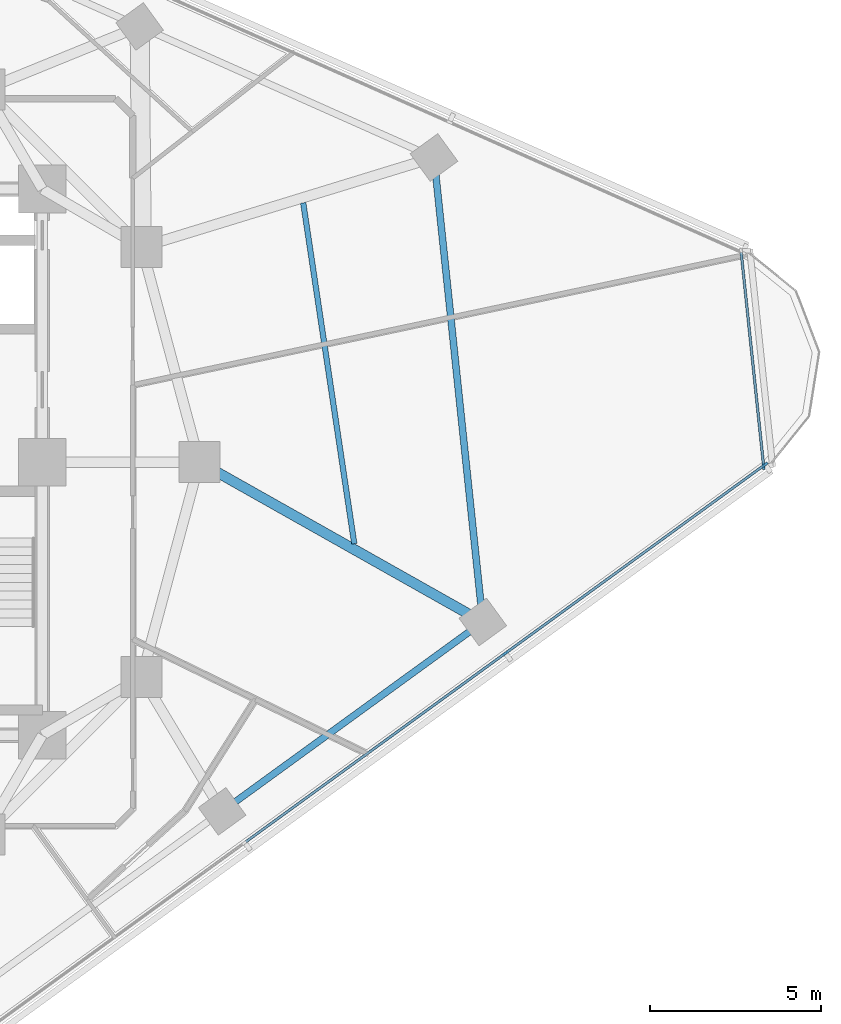
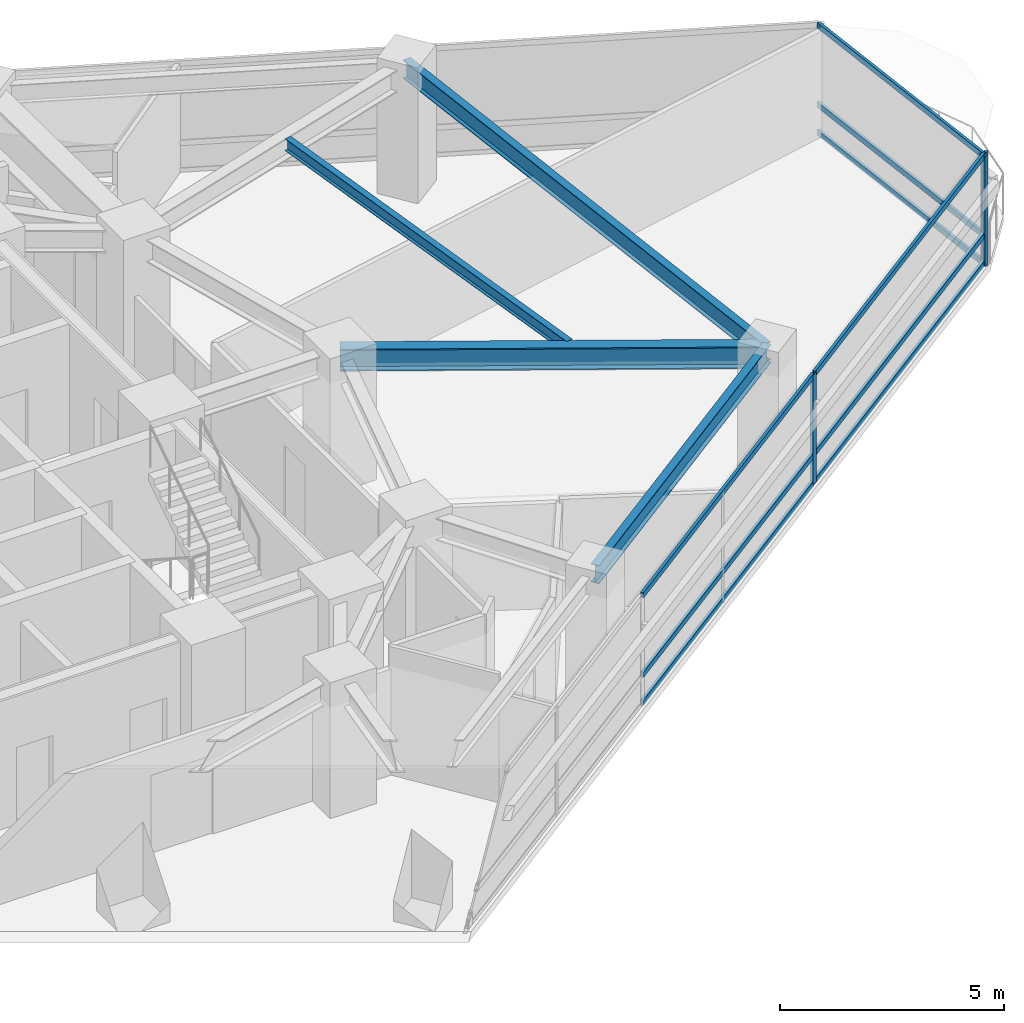
# One storey, part 4 of 14: 12 members, 4 beams, 2 elements without a shape of their own.
"""IFC4 building model written with IfcOpenShell, lengths in metres."""

from ifc_helpers import new_model, si_unit, direction, frame, origin, origin_2d, place, context, subcontext, project, spatial, rectangle, i_section, extrude, material, layer, layer_set, material_profile, profile_set, type_object, element, aggregate, save


model = new_model("IFC4")

# Units and contexts
model_context = context("Model", 3, precision=1e-05, world=origin(), true_north=direction((0.0, 1.0)))
body_context = subcontext(model_context, "Body", "Model", "MODEL_VIEW")
ifc_project = project(units=[si_unit("LENGTHUNIT", "METRE"), si_unit("AREAUNIT", "SQUARE_METRE"), si_unit("VOLUMEUNIT", "CUBIC_METRE"), si_unit("PLANEANGLEUNIT", "RADIAN"), si_unit("MASSUNIT", "GRAM", prefix="KILO")], contexts=[model_context])

# Site, building, storey
site_placement = place(None, origin())
site = spatial("IfcSite", under=ifc_project, at=site_placement, CompositionType="ELEMENT")
building_placement = place(site_placement, origin())
building = spatial("IfcBuilding", under=site, at=building_placement, Name="Terralouvre Media Tower", CompositionType="ELEMENT")
storey_placement = place(building_placement, frame((0.0, 0.0, 173.10009765625)))
storey = spatial("IfcBuildingStorey", under=building, at=storey_placement, Name="L44", CompositionType="ELEMENT", Elevation=173.10009765625)

# Beam
ifc_material_1 = material(Name="Structural steel S355J2", Category="steel")
ifc_material_profile_1 = material_profile(ifc_material_1, i_section(OverallWidth=0.159912109375, OverallDepth=0.330078125, WebThickness=0.007568359375, FlangeThickness=0.011474609375, at=origin_2d()), Name="IPE 330")
ifc_profile_set_1 = profile_set([ifc_material_profile_1], Name="Structural steel S355J2")
beam_type_1 = type_object("IfcBeamType", Name="Composite Floor Joist J-IPE330 (IPE 330)", PredefinedType="JOIST", material=ifc_profile_set_1)
beam_1_placement = place(storey_placement, frame((17.1396484375, -2.38916015625, 3.3349609375), z_axis=(-0.148174915539, 0.988961169311, 0.0), x_axis=(-0.988961169311, -0.148174915539, 0.0)))
element("IfcBeam", 1, at=beam_1_placement, inside=storey, type_object=beam_type_1, Name="L44 Framing Beam JT-L44-03", PredefinedType="JOIST", context=body_context, shape_type="SweptSolid", body=[
    extrude(i_section(OverallWidth=0.159912109375, OverallDepth=0.330078125, WebThickness=0.007568359375, FlangeThickness=0.011474609375, at=origin_2d()), origin(), (0.0, 0.0, 1.0), 10.096923828125),
])

# Curtain wall, members
ifc_material_2 = material(Name="Low-iron laminated double glazing with solar-control coating", Category="glass")
ifc_layer_1 = layer(ifc_material_2, 0.1650390625, Name="Production Studio Tower Curtain Wall CW-03")
ifc_layer_set_1 = layer_set([ifc_layer_1], Name="Low-iron laminated double glazing with solar-control coating")
curtain_wall_type_1 = type_object("IfcCurtainWallType", Name="Production Studio Tower Curtain Wall CW-03", PredefinedType="NOTDEFINED", material=ifc_layer_set_1)
curtain_wall_1_placement = place(storey_placement, origin())
curtain_wall_1 = element("IfcCurtainWall", 2, at=curtain_wall_1_placement, inside=storey, type_object=curtain_wall_type_1, Name="L44 Facade Curtain Wall F0", PredefinedType="NOTDEFINED")
ifc_material_3 = material(Name="Anodised extruded aluminium 6063-T6", Category="aluminium")
ifc_material_profile_2 = material_profile(ifc_material_3, rectangle(XDim=0.074951171875, YDim=0.14990234375, at=origin_2d()), Name="ALU 75x150")
ifc_profile_set_2 = profile_set([ifc_material_profile_2], Name="Anodised extruded aluminium 6063-T6")
member_type_1 = type_object("IfcMemberType", Name="Curtain-Wall Horizontal Transom TR-150", PredefinedType="USERDEFINED", material=ifc_profile_set_2)
member_1_placement = place(storey_placement, frame((13.9619140625, -11.123046875, 0.037353515625), z_axis=(0.809023450607, 0.587776365948, 0.0), x_axis=(-0.587776365948, 0.809023450607, 0.0)))
member_1 = element("IfcMember", 3, at=member_1_placement, type_object=member_type_1, Name="CW-03 transom 4.1", ObjectType="TRANSOM", PredefinedType="USERDEFINED", context=body_context, shape_type="SweptSolid", body=[
    extrude(rectangle(XDim=0.074951171875, YDim=0.14990234375, at=origin_2d()), origin(), (0.0, 0.0, 1.0), 9.365234375),
])
member_2_placement = place(storey_placement, frame((13.9619140625, -11.123046875, 0.7998046875), z_axis=(0.809023450607, 0.587776365948, 0.0), x_axis=(-0.587776365948, 0.809023450607, 0.0)))
member_2 = element("IfcMember", 4, at=member_2_placement, type_object=member_type_1, Name="CW-03 transom 4.2", ObjectType="TRANSOM", PredefinedType="USERDEFINED", context=body_context, shape_type="SweptSolid", body=[
    extrude(rectangle(XDim=0.074951171875, YDim=0.14990234375, at=origin_2d()), origin(), (0.0, 0.0, 1.0), 9.365234375),
])
member_3_placement = place(storey_placement, frame((13.9619140625, -11.123046875, 2.96240234375), z_axis=(0.809023450607, 0.587776365948, 0.0), x_axis=(-0.587776365948, 0.809023450607, 0.0)))
member_3 = element("IfcMember", 5, at=member_3_placement, type_object=member_type_1, Name="CW-03 transom 4.3", ObjectType="TRANSOM", PredefinedType="USERDEFINED", context=body_context, shape_type="SweptSolid", body=[
    extrude(rectangle(XDim=0.074951171875, YDim=0.14990234375, at=origin_2d()), origin(), (0.0, 0.0, 1.0), 9.365234375),
])
member_4_placement = place(storey_placement, frame((21.59912109375, -5.574462890625, 0.037353515625), z_axis=(0.809013297727, 0.587790340259, 0.0), x_axis=(-0.587790340259, 0.809013297727, 0.0)))
member_4 = element("IfcMember", 6, at=member_4_placement, type_object=member_type_1, Name="CW-03 transom 5.1", ObjectType="TRANSOM", PredefinedType="USERDEFINED", context=body_context, shape_type="SweptSolid", body=[
    extrude(rectangle(XDim=0.074951171875, YDim=0.14990234375, at=origin_2d()), origin(), (0.0, 0.0, 1.0), 9.32763671875),
])
member_5_placement = place(storey_placement, frame((21.59912109375, -5.574462890625, 0.7998046875), z_axis=(0.809013297727, 0.587790340259, 0.0), x_axis=(-0.587790340259, 0.809013297727, 0.0)))
member_5 = element("IfcMember", 7, at=member_5_placement, type_object=member_type_1, Name="CW-03 transom 5.2", ObjectType="TRANSOM", PredefinedType="USERDEFINED", context=body_context, shape_type="SweptSolid", body=[
    extrude(rectangle(XDim=0.074951171875, YDim=0.14990234375, at=origin_2d()), origin(), (0.0, 0.0, 1.0), 9.32763671875),
])
member_6_placement = place(storey_placement, frame((21.59912109375, -5.574462890625, 2.96240234375), z_axis=(0.809013297727, 0.587790340259, 0.0), x_axis=(-0.587790340259, 0.809013297727, 0.0)))
member_6 = element("IfcMember", 8, at=member_6_placement, type_object=member_type_1, Name="CW-03 transom 5.3", ObjectType="TRANSOM", PredefinedType="USERDEFINED", context=body_context, shape_type="SweptSolid", body=[
    extrude(rectangle(XDim=0.074951171875, YDim=0.14990234375, at=origin_2d()), origin(), (0.0, 0.0, 1.0), 9.32763671875),
])

ifc_material_4 = material(Name="Low-iron laminated double glazing with solar-control coating", Category="glass")
ifc_layer_2 = layer(ifc_material_4, 0.1650390625, Name="Rounded Wind-Corner Curved Glazing CW-04")
ifc_layer_set_2 = layer_set([ifc_layer_2], Name="Low-iron laminated double glazing with solar-control coating")
curtain_wall_type_2 = type_object("IfcCurtainWallType", Name="Rounded Wind-Corner Curved Glazing CW-04", PredefinedType="NOTDEFINED", material=ifc_layer_set_2)
curtain_wall_2_placement = place(storey_placement, origin())
curtain_wall_2 = element("IfcCurtainWall", 9, at=curtain_wall_2_placement, inside=storey, type_object=curtain_wall_type_2, Name="L44 Rounded Wind-Corner Curtain Wall C1", PredefinedType="NOTDEFINED")
member_7_placement = place(storey_placement, frame((29.12939453125, -0.0849609375, 0.037353515625), z_axis=(-0.104542643073, 0.994520404908, 0.0), x_axis=(-0.994520404908, -0.104542643073, 0.0)))
member_7 = element("IfcMember", 10, at=member_7_placement, type_object=member_type_1, Name="CW-04 transom 1.1", ObjectType="TRANSOM", PredefinedType="USERDEFINED", context=body_context, shape_type="SweptSolid", body=[
    extrude(rectangle(XDim=0.074951171875, YDim=0.14990234375, at=origin_2d()), origin(), (0.0, 0.0, 1.0), 6.258544921875),
])
member_8_placement = place(storey_placement, frame((29.12939453125, -0.0849609375, 0.7998046875), z_axis=(-0.104542643073, 0.994520404908, 0.0), x_axis=(-0.994520404908, -0.104542643073, 0.0)))
member_8 = element("IfcMember", 11, at=member_8_placement, type_object=member_type_1, Name="CW-04 transom 1.2", ObjectType="TRANSOM", PredefinedType="USERDEFINED", context=body_context, shape_type="SweptSolid", body=[
    extrude(rectangle(XDim=0.074951171875, YDim=0.14990234375, at=origin_2d()), origin(), (0.0, 0.0, 1.0), 6.258544921875),
])
member_9_placement = place(storey_placement, frame((29.12939453125, -0.0849609375, 2.96240234375), z_axis=(-0.104542643073, 0.994520404908, 0.0), x_axis=(-0.994520404908, -0.104542643073, 0.0)))
member_9 = element("IfcMember", 12, at=member_9_placement, type_object=member_type_1, Name="CW-04 transom 1.3", ObjectType="TRANSOM", PredefinedType="USERDEFINED", context=body_context, shape_type="SweptSolid", body=[
    extrude(rectangle(XDim=0.074951171875, YDim=0.14990234375, at=origin_2d()), origin(), (0.0, 0.0, 1.0), 6.258544921875),
])

# Member
ifc_material_5 = material(Name="Anodised extruded aluminium 6063-T6", Category="aluminium")
ifc_material_profile_3 = material_profile(ifc_material_5, rectangle(XDim=0.074951171875, YDim=0.179931640625, at=origin_2d()), Name="ALU 75x180")
ifc_profile_set_3 = profile_set([ifc_material_profile_3], Name="Anodised extruded aluminium 6063-T6")
member_type_2 = type_object("IfcMemberType", Name="Curtain-Wall Vertical Mullion ML-180", PredefinedType="MULLION", material=ifc_profile_set_3)
member_10_placement = place(storey_placement, frame((21.56884765625, -5.596435546875, 0.0), z_axis=(0.0, 0.0, 1.0), x_axis=(-0.587785358263, 0.809016917383, 0.0)))
member_10 = element("IfcMember", 13, at=member_10_placement, type_object=member_type_2, Name="CW-03 mullion 5", PredefinedType="MULLION", context=body_context, shape_type="SweptSolid", body=[
    extrude(rectangle(XDim=0.074951171875, YDim=0.179931640625, at=origin_2d()), origin(), (0.0, 0.0, 1.0), 3.0),
])

member_11_placement = place(storey_placement, frame((29.175537109375, -0.06982421875, 0.0), z_axis=(0.0, 0.0, 1.0), x_axis=(-0.587785358263, 0.809016917383, 0.0)))
member_11 = element("IfcMember", 14, at=member_11_placement, type_object=member_type_2, Name="CW-03 mullion 6", PredefinedType="MULLION", context=body_context, shape_type="SweptSolid", body=[
    extrude(rectangle(XDim=0.074951171875, YDim=0.179931640625, at=origin_2d()), origin(), (0.0, 0.0, 1.0), 3.0),
])

aggregate(curtain_wall_1, [member_10, member_11, member_1, member_2, member_3, member_4, member_5, member_6])

member_12_placement = place(storey_placement, frame((29.13330078125, -0.122314453125, 0.0), z_axis=(0.0, 0.0, 1.0), x_axis=(-0.994521891172, -0.10452850319, 0.0)))
member_12 = element("IfcMember", 15, at=member_12_placement, type_object=member_type_2, Name="CW-04 mullion 1", PredefinedType="MULLION", context=body_context, shape_type="SweptSolid", body=[
    extrude(rectangle(XDim=0.074951171875, YDim=0.179931640625, at=origin_2d()), origin(), (0.0, 0.0, 1.0), 3.0),
])

aggregate(curtain_wall_2, [member_12, member_7, member_8, member_9])

# Beams
ifc_material_6 = material(Name="Structural steel S355J2", Category="steel")
ifc_material_profile_4 = material_profile(ifc_material_6, i_section(OverallWidth=0.199951171875, OverallDepth=0.5, WebThickness=0.01025390625, FlangeThickness=0.01611328125, at=origin_2d()), Name="IPE 500")
ifc_profile_set_4 = profile_set([ifc_material_profile_4], Name="Structural steel S355J2")
beam_type_2 = type_object("IfcBeamType", Name="Perimeter Spandrel Beam SPB-500 (IPE 500)", PredefinedType="SPANDREL", material=ifc_profile_set_4)
beam_2_placement = place(storey_placement, frame((13.267578125, -10.23095703125, 3.25), z_axis=(0.809016709277, 0.587785644696, 0.0), x_axis=(-0.587785644696, 0.809016709277, 0.0)))
element("IfcBeam", 16, at=beam_2_placement, inside=storey, type_object=beam_type_2, Name="L44 Framing Beam BM-L44-PR05", PredefinedType="SPANDREL", context=body_context, shape_type="SweptSolid", body=[
    extrude(i_section(OverallWidth=0.199951171875, OverallDepth=0.5, WebThickness=0.01025390625, FlangeThickness=0.01611328125, at=origin_2d()), origin(), (0.0, 0.0, 1.0), 9.439697265625),
])
beam_3_placement = place(storey_placement, frame((20.904541015625, -4.682373046875, 3.25), z_axis=(-0.104517607269, 0.99452303632, 0.0), x_axis=(-0.99452303632, -0.104517607269, 0.0)))
element("IfcBeam", 17, at=beam_3_placement, inside=storey, type_object=beam_type_2, Name="L44 Framing Beam BM-L44-PR06", PredefinedType="SPANDREL", context=body_context, shape_type="SweptSolid", body=[
    extrude(i_section(OverallWidth=0.199951171875, OverallDepth=0.5, WebThickness=0.01025390625, FlangeThickness=0.01611328125, at=origin_2d()), origin(), (0.0, 0.0, 1.0), 13.68359375),
])
ifc_material_7 = material(Name="Structural steel S460M", Category="steel")
ifc_material_profile_5 = material_profile(ifc_material_7, i_section(OverallWidth=0.300048828125, OverallDepth=0.60009765625, WebThickness=0.015380859375, FlangeThickness=0.030029296875, at=origin_2d()), Name="HEB 600")
ifc_profile_set_5 = profile_set([ifc_material_profile_5], Name="Structural steel S460M")
beam_type_3 = type_object("IfcBeamType", Name="Primary Floor Girder B-HEB600 (HEB 600)", PredefinedType="BEAM", material=ifc_profile_set_5)
beam_4_placement = place(storey_placement, frame((12.60009765625, 0.0, 3.199951171875), z_axis=(0.871076516642, -0.491147332432, 0.0), x_axis=(0.491147332432, 0.871076516642, 0.0)))
element("IfcBeam", 18, at=beam_4_placement, inside=storey, type_object=beam_type_3, Name="L44 Framing Beam BM-L44-RD06", PredefinedType="BEAM", context=body_context, shape_type="SweptSolid", body=[
    extrude(i_section(OverallWidth=0.300048828125, OverallDepth=0.60009765625, WebThickness=0.015380859375, FlangeThickness=0.030029296875, at=origin_2d()), origin(), (0.0, 0.0, 1.0), 9.533447265625),
])

save(model, "model.ifc")
